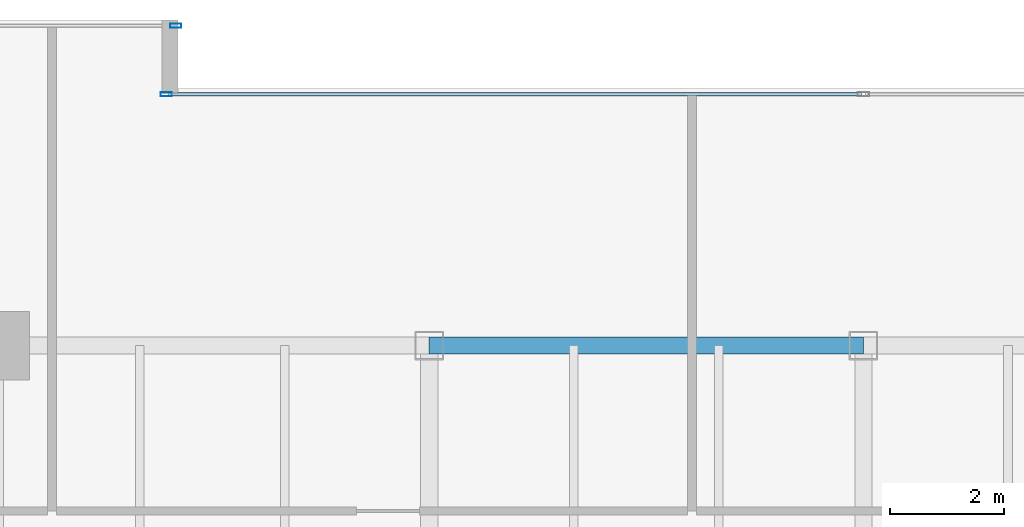
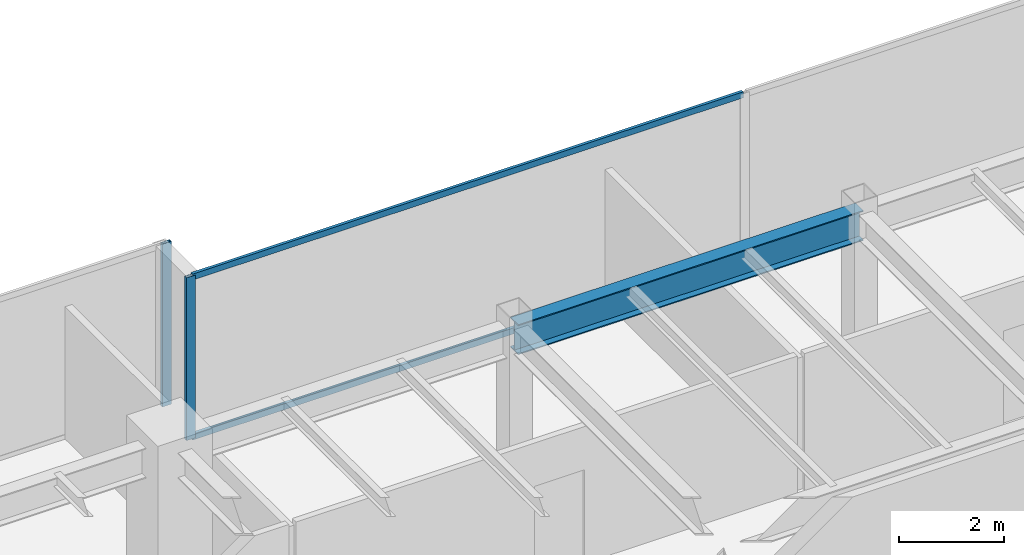
# One storey, part 16 of 30: 4 members, 1 beam, 2 elements without a shape of their own.
"""IFC4 building model written with IfcOpenShell, lengths in metres."""

from ifc_helpers import new_model, si_unit, direction, frame, origin, origin_2d, place, context, subcontext, project, spatial, hollow_rectangle, i_section, extrude, source, transform, mapped, material, layer, layer_set, material_profile, profile_set, type_object, type_shapes, element, aggregate, save


model = new_model("IFC4")

# Units and contexts
model_context = context("Model", 3, precision=1e-05, world=origin(), true_north=direction((0.0, 1.0)))
body_context = subcontext(model_context, "Body", "Model", "MODEL_VIEW")
ifc_project = project(units=[si_unit("LENGTHUNIT", "METRE"), si_unit("AREAUNIT", "SQUARE_METRE"), si_unit("VOLUMEUNIT", "CUBIC_METRE"), si_unit("PLANEANGLEUNIT", "RADIAN"), si_unit("MASSUNIT", "GRAM", prefix="KILO")], contexts=[model_context])

# Site, building, storey
site_placement = place(None, origin())
site = spatial("IfcSite", under=ifc_project, at=site_placement, CompositionType="ELEMENT")
building_placement = place(site_placement, origin())
building = spatial("IfcBuilding", under=site, at=building_placement, Name="Haelvirn Gate Laboratories", CompositionType="ELEMENT")
storey_placement = place(building_placement, frame((0.0, 0.0, 170.699951171875)))
storey = spatial("IfcBuildingStorey", under=building, at=storey_placement, Name="L41", CompositionType="ELEMENT", Elevation=170.699951171875)

# Beam
ifc_material_1 = material(Name="Steel SM355", Category="steel")
ifc_material_profile_1 = material_profile(ifc_material_1, i_section(OverallWidth=0.300048828125, OverallDepth=0.699951171875, WebThickness=0.012939453125, FlangeThickness=0.02392578125, at=origin_2d()), Name="H-700x300x13x24")
ifc_profile_set_1 = profile_set([ifc_material_profile_1], Name="Steel SM355")
beam_type = type_object("IfcBeamType", Name="BM-G-700", PredefinedType="BEAM", material=ifc_profile_set_1)
shared_shape_1 = source(origin(), body_context, "Body", "SweptSolid", [
    extrude(i_section(OverallWidth=0.300048828125, OverallDepth=0.699951171875, WebThickness=0.012939453125, FlangeThickness=0.02392578125, at=origin_2d()), origin(), (0.0, 0.0, 1.0), 7.599853515625),
])
type_shapes(beam_type, [shared_shape_1])
beam_placement = place(storey_placement, frame((29.800048828125, 41.60009765625, 3.43994140625), z_axis=(1.0, 0.0, 0.0), x_axis=(0.0, 1.0, 0.0)))
element("IfcBeam", 1, at=beam_placement, inside=storey, type_object=beam_type, Name="L41 Primary Girder Y41.6 (29.8-37.4)", PredefinedType="BEAM", context=body_context, shape_type="MappedRepresentation", body=[
    mapped(shared_shape_1, transform((0.0, 0.0, 0.0), scale=1.0)),
])

# Curtain wall, members
ifc_material_2 = material(Name="Anodised bronze unitised aluminium & triple low-E glass", Category="aluminium")
ifc_layer = layer(ifc_material_2, 0.179931640625, Name="CW-SYS-3")
ifc_layer_set = layer_set([ifc_layer], Name="Anodised bronze unitised aluminium & triple low-E glass")
curtain_wall_type = type_object("IfcCurtainWallType", Name="CW-SYS-3", PredefinedType="NOTDEFINED", material=ifc_layer_set)
curtain_wall_1_placement = place(storey_placement, origin())
curtain_wall_1 = element("IfcCurtainWall", 2, at=curtain_wall_1_placement, inside=storey, type_object=curtain_wall_type, Name="L41 Unitised Curtain Wall CW-L41-P0-E12-1", PredefinedType="NOTDEFINED")
ifc_material_3 = material(Name="Extruded aluminium 6063-T6 (anodised bronze)", Category="aluminium")
ifc_material_profile_2 = material_profile(ifc_material_3, hollow_rectangle(XDim=0.06494140625, YDim=0.139892578125, WallThickness=0.00390625, at=origin_2d()), Name="CWT-140x65x4")
ifc_profile_set_2 = profile_set([ifc_material_profile_2], Name="Extruded aluminium 6063-T6 (anodised bronze)")
member_type_1 = type_object("IfcMemberType", Name="CWT-T140", PredefinedType="USERDEFINED", material=ifc_profile_set_2)
shared_shape_2 = source(origin(), body_context, "Body", "SweptSolid", [
    extrude(hollow_rectangle(XDim=0.06494140625, YDim=0.139892578125, WallThickness=0.00390625, at=origin_2d()), origin(), (0.0, 0.0, 1.0), 12.12744140625),
])
type_shapes(member_type_1, [shared_shape_2])
member_1_placement = place(storey_placement, frame((25.235107421875, 46.0, 0.032470703125), z_axis=(1.0, 0.0, 0.0), x_axis=(0.0, 1.0, 0.0)))
member_1 = element("IfcMember", 3, at=member_1_placement, type_object=member_type_1, Name="CW3 transom 1.1", ObjectType="TRANSOM", PredefinedType="USERDEFINED", context=body_context, shape_type="MappedRepresentation", body=[
    mapped(shared_shape_2, transform((0.0, 0.0, 0.0), scale=1.0)),
])
member_2_placement = place(storey_placement, frame((25.235107421875, 46.0, 3.757568359375), z_axis=(1.0, 0.0, 0.0), x_axis=(0.0, 1.0, 0.0)))
member_2 = element("IfcMember", 4, at=member_2_placement, type_object=member_type_1, Name="CW3 transom 1.2", ObjectType="TRANSOM", PredefinedType="USERDEFINED", context=body_context, shape_type="MappedRepresentation", body=[
    mapped(shared_shape_2, transform((0.0, 0.0, 0.0), scale=1.0)),
])
ifc_material_profile_3 = material_profile(ifc_material_3, hollow_rectangle(XDim=0.074951171875, YDim=0.199951171875, WallThickness=0.0048828125, at=origin_2d()), Name="CWM-200x75x5")
ifc_profile_set_3 = profile_set([ifc_material_profile_3], Name="Extruded aluminium 6063-T6 (anodised bronze)")
member_type_2 = type_object("IfcMemberType", Name="CWM-T200", PredefinedType="MULLION", material=ifc_profile_set_3)
shared_shape_3 = source(origin(), body_context, "Body", "SweptSolid", [
    extrude(hollow_rectangle(XDim=0.074951171875, YDim=0.199951171875, WallThickness=0.0048828125, at=origin_2d()), origin(), (0.0, 0.0, 1.0), 3.7900390625),
])
type_shapes(member_type_2, [shared_shape_3])
member_3_placement = place(storey_placement, frame((25.197509765625, 46.0, 0.0), z_axis=(0.0, 0.0, 1.0), x_axis=(0.0, 1.0, 0.0)))
member_3 = element("IfcMember", 5, at=member_3_placement, type_object=member_type_2, Name="CW3 mullion 1", PredefinedType="MULLION", context=body_context, shape_type="MappedRepresentation", body=[
    mapped(shared_shape_3, transform((0.0, 0.0, 0.0), scale=1.0)),
])
aggregate(curtain_wall_1, [member_3, member_1, member_2])

# Curtain wall, member
curtain_wall_2_placement = place(storey_placement, origin())
curtain_wall_2 = element("IfcCurtainWall", 6, at=curtain_wall_2_placement, inside=storey, type_object=curtain_wall_type, Name="L41 Unitised Curtain Wall CW-L41-P0-E14-1", PredefinedType="NOTDEFINED")
member_4_placement = place(storey_placement, frame((25.362548828125, 47.199951171875, 0.0), z_axis=(0.0, 0.0, 1.0), x_axis=(0.0, 1.0, 0.0)))
member_4 = element("IfcMember", 7, at=member_4_placement, type_object=member_type_2, Name="CW3 mullion 3", PredefinedType="MULLION", context=body_context, shape_type="MappedRepresentation", body=[
    mapped(shared_shape_3, transform((0.0, 0.0, 0.0), scale=1.0)),
])
aggregate(curtain_wall_2, [member_4])

save(model, "model.ifc")
